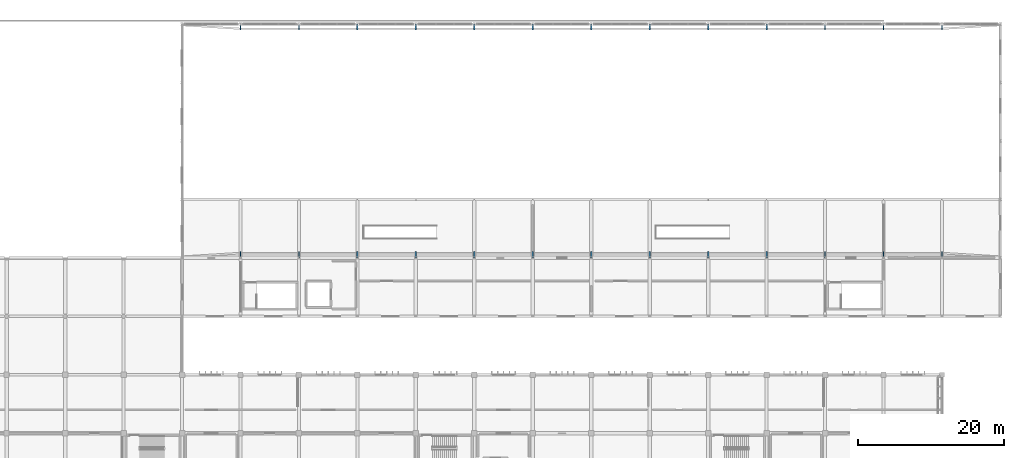
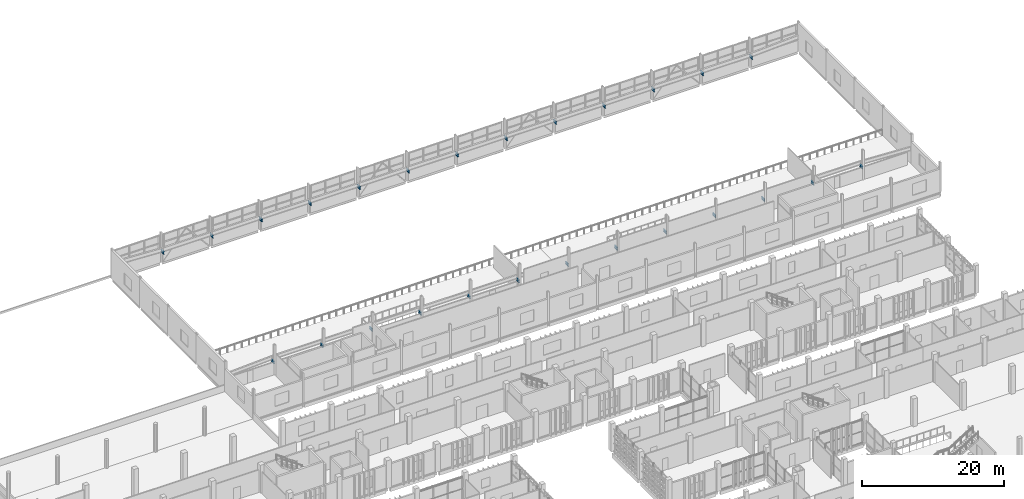
# One storey, part 68 of 106: 26 beams.
"""IFC4 building model written with IfcOpenShell, lengths in metres."""

from ifc_helpers import new_model, si_unit, direction, frame, origin, origin_2d, place, context, subcontext, project, spatial, i_section, extrude, material, material_profile, profile_set, type_object, element, save


model = new_model("IFC4")

# Units and contexts
model_context = context("Model", 3, precision=1e-05, world=origin(), true_north=direction((0.0, 1.0)))
body_context = subcontext(model_context, "Body", "Model", "MODEL_VIEW")
ifc_project = project(units=[si_unit("LENGTHUNIT", "METRE"), si_unit("AREAUNIT", "SQUARE_METRE"), si_unit("VOLUMEUNIT", "CUBIC_METRE"), si_unit("PLANEANGLEUNIT", "RADIAN"), si_unit("MASSUNIT", "GRAM", prefix="KILO")], contexts=[model_context])

# Site, building, storey
site_placement = place(None, origin())
site = spatial("IfcSite", under=ifc_project, at=site_placement, CompositionType="ELEMENT")
building_placement = place(site_placement, origin())
building = spatial("IfcBuilding", under=site, at=building_placement, Name="Jelvoka-Kovrelna Polytechnic", CompositionType="ELEMENT")
storey_placement = place(building_placement, frame((0.0, 0.0, 4.800048828125)))
storey = spatial("IfcBuildingStorey", under=building, at=storey_placement, Name="L02", CompositionType="ELEMENT", Elevation=4.800048828125)

# Beams
ifc_material = material(Name="Structural steel S355JR", Category="steel")
ifc_material_profile = material_profile(ifc_material, i_section(OverallWidth=0.18994140625, OverallDepth=0.453369140625, WebThickness=0.008544921875, FlangeThickness=0.0126953125, FilletRadius=0.01025390625, at=origin_2d()), Name="457x191x67 UB")
ifc_profile_set = profile_set([ifc_material_profile], Name="Structural steel S355JR")
beam_type = type_object("IfcBeamType", Name="Girder_Steel_UB457", PredefinedType="BEAM", material=ifc_profile_set)
for number, where, z_axis, x_axis, name in (
    (1, (96.0, 88.0, 1.994873046875), (0.0, 1.0, 0.0), (-1.0, 0.0, 0.0), "L02 crane column corbel 2901"),
    (2, (96.0, 120.0, 1.994873046875), (0.0, -1.0, 0.0), (1.0, 0.0, 0.0), "L02 crane column corbel 2902"),
    (3, (104.0, 88.0, 1.994873046875), (0.0, 1.0, 0.0), (-1.0, 0.0, 0.0), "L02 crane column corbel 2903"),
    (4, (104.0, 120.0, 1.994873046875), (0.0, -1.0, 0.0), (1.0, 0.0, 0.0), "L02 crane column corbel 2904"),
    (5, (112.0, 88.0, 1.994873046875), (0.0, 1.0, 0.0), (-1.0, 0.0, 0.0), "L02 crane column corbel 2905"),
    (6, (112.0, 120.0, 1.994873046875), (0.0, -1.0, 0.0), (1.0, 0.0, 0.0), "L02 crane column corbel 2906"),
    (7, (120.0, 88.0, 1.994873046875), (0.0, 1.0, 0.0), (-1.0, 0.0, 0.0), "L02 crane column corbel 2907"),
    (8, (120.0, 120.0, 1.994873046875), (0.0, -1.0, 0.0), (1.0, 0.0, 0.0), "L02 crane column corbel 2908"),
    (9, (128.0, 88.0, 1.994873046875), (0.0, 1.0, 0.0), (-1.0, 0.0, 0.0), "L02 crane column corbel 2909"),
    (10, (128.0, 120.0, 1.994873046875), (0.0, -1.0, 0.0), (1.0, 0.0, 0.0), "L02 crane column corbel 2910"),
    (11, (136.0, 88.0, 1.994873046875), (0.0, 1.0, 0.0), (-1.0, 0.0, 0.0), "L02 crane column corbel 2911"),
    (12, (136.0, 120.0, 1.994873046875), (0.0, -1.0, 0.0), (1.0, 0.0, 0.0), "L02 crane column corbel 2912"),
    (13, (144.0, 88.0, 1.994873046875), (0.0, 1.0, 0.0), (-1.0, 0.0, 0.0), "L02 crane column corbel 2913"),
    (14, (144.0, 120.0, 1.994873046875), (0.0, -1.0, 0.0), (1.0, 0.0, 0.0), "L02 crane column corbel 2914"),
    (15, (152.0, 88.0, 1.994873046875), (0.0, 1.0, 0.0), (-1.0, 0.0, 0.0), "L02 crane column corbel 2915"),
    (16, (152.0, 120.0, 1.994873046875), (0.0, -1.0, 0.0), (1.0, 0.0, 0.0), "L02 crane column corbel 2916"),
    (17, (160.0, 88.0, 1.994873046875), (0.0, 1.0, 0.0), (-1.0, 0.0, 0.0), "L02 crane column corbel 2917"),
    (18, (160.0, 120.0, 1.994873046875), (0.0, -1.0, 0.0), (1.0, 0.0, 0.0), "L02 crane column corbel 2918"),
    (19, (168.0, 88.0, 1.994873046875), (0.0, 1.0, 0.0), (-1.0, 0.0, 0.0), "L02 crane column corbel 2919"),
    (20, (168.0, 120.0, 1.994873046875), (0.0, -1.0, 0.0), (1.0, 0.0, 0.0), "L02 crane column corbel 2920"),
    (21, (176.0, 88.0, 1.994873046875), (0.0, 1.0, 0.0), (-1.0, 0.0, 0.0), "L02 crane column corbel 2921"),
    (22, (176.0, 120.0, 1.994873046875), (0.0, -1.0, 0.0), (1.0, 0.0, 0.0), "L02 crane column corbel 2922"),
    (23, (184.0, 88.0, 1.994873046875), (0.0, 1.0, 0.0), (-1.0, 0.0, 0.0), "L02 crane column corbel 2923"),
    (24, (184.0, 120.0, 1.994873046875), (0.0, -1.0, 0.0), (1.0, 0.0, 0.0), "L02 crane column corbel 2924"),
    (25, (192.0, 88.0, 1.994873046875), (0.0, 1.0, 0.0), (-1.0, 0.0, 0.0), "L02 crane column corbel 2925"),
    (26, (192.0, 120.0, 1.994873046875), (0.0, -1.0, 0.0), (1.0, 0.0, 0.0), "L02 crane column corbel 2926"),
):
    element("IfcBeam", number, at=place(storey_placement, frame(where, z_axis=z_axis, x_axis=x_axis)), inside=storey, type_object=beam_type, Name=name, PredefinedType="BEAM", context=body_context, shape_type="SweptSolid", body=[
        extrude(i_section(OverallWidth=0.18994140625, OverallDepth=0.453369140625, WebThickness=0.008544921875, FlangeThickness=0.0126953125, FilletRadius=0.01025390625, at=origin_2d()), origin(), (0.0, 0.0, 1.0), 0.85009765625),
    ])

save(model, "model.ifc")
